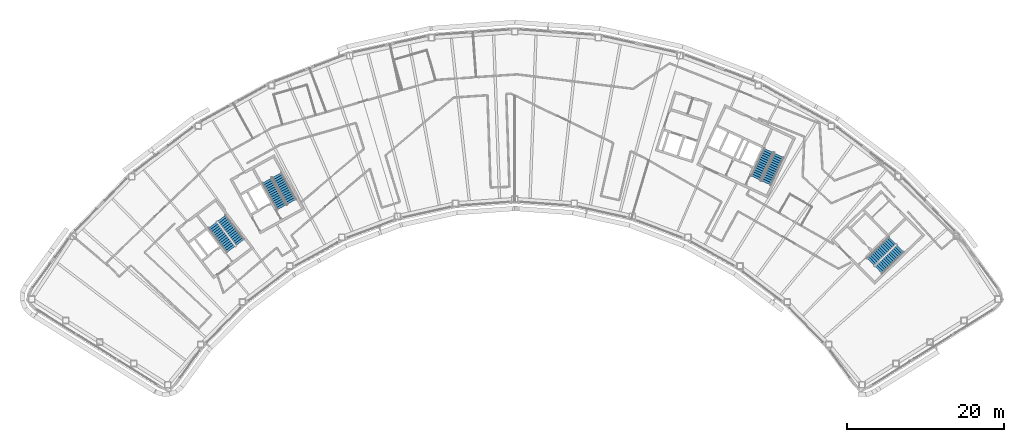
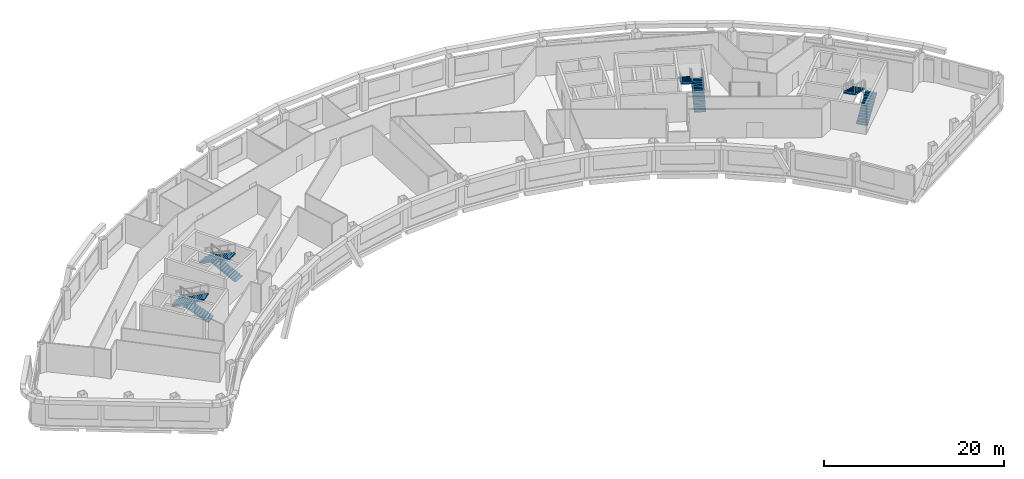
# One storey, part 10 of 15: 8 stair flights, 4 elements without a shape of their own.
"""IFC4 building model written with IfcOpenShell, lengths in metres."""

from ifc_helpers import new_model, si_unit, direction, frame, origin, place, context, subcontext, project, spatial, polyline, outline, extrude, material, type_object, element, aggregate, save


model = new_model("IFC4")

# Units and contexts
model_context = context("Model", 3, precision=1e-05, world=origin(), true_north=direction((0.0, 1.0)))
body_context = subcontext(model_context, "Body", "Model", "MODEL_VIEW")
ifc_project = project(units=[si_unit("LENGTHUNIT", "METRE"), si_unit("AREAUNIT", "SQUARE_METRE"), si_unit("VOLUMEUNIT", "CUBIC_METRE"), si_unit("PLANEANGLEUNIT", "RADIAN"), si_unit("MASSUNIT", "GRAM", prefix="KILO")], contexts=[model_context])

# Site, building, storey
site_placement = place(None, origin())
site = spatial("IfcSite", under=ifc_project, at=site_placement, CompositionType="ELEMENT")
building_placement = place(site_placement, origin())
building = spatial("IfcBuilding", under=site, at=building_placement, Name="Tuul Gate Civic Tower", CompositionType="ELEMENT")
storey_placement = place(building_placement, frame((0.0, 0.0, 332.300048828125)))
storey = spatial("IfcBuildingStorey", under=building, at=storey_placement, Name="Level 75", CompositionType="ELEMENT", Elevation=332.300048828125)

# Stair, stair flights
ifc_material_1 = material(Name="Concrete C40/50", Category="concrete")
stair_type = type_object("IfcStairType", Name="Exit stair", PredefinedType="HALF_TURN_STAIR", material=ifc_material_1)
stair_1_placement = place(storey_placement, origin())
stair_1 = element("IfcStair", 1, at=stair_1_placement, inside=storey, type_object=stair_type, Name="Level 75 ST-1", PredefinedType="HALF_TURN_STAIR")
ifc_material_2 = material(Name="Concrete C40/50", Category="concrete")
stair_flight_type = type_object("IfcStairFlightType", Name="Exit stair flight", PredefinedType="STRAIGHT", material=ifc_material_2)
stair_flight_1_placement = place(storey_placement, frame((-32.875244140625, -13.066650390625, 0.0), z_axis=(0.0, 0.0, 1.0), x_axis=(-0.605764474941, 0.795644016442, 0.0)))
stair_flight_1 = element("IfcStairFlight", 2, at=stair_flight_1_placement, type_object=stair_flight_type, Name="ST-1 flight 1", NumberOfRisers=14, NumberOfTreads=13, PredefinedType="STRAIGHT", RiserHeight=0.15, TreadLength=0.3, context=body_context, shape_type="SweptSolid", body=[
    extrude(outline(polyline([(0.0, 0.0), (0.0, 0.14990234375), (0.300048828125, 0.14990234375), (0.300048828125, 0.300048828125), (0.60009765625, 0.300048828125), (0.60009765625, 0.449951171875), (0.89990234375, 0.449951171875), (0.89990234375, 0.60009765625), (1.199951171875, 0.60009765625), (1.199951171875, 0.75), (1.5, 0.75), (1.5, 0.89990234375), (1.800048828125, 0.89990234375), (1.800048828125, 1.050048828125), (2.10009765625, 1.050048828125), (2.10009765625, 1.199951171875), (2.39990234375, 1.199951171875), (2.39990234375, 1.35009765625), (2.699951171875, 1.35009765625), (2.699951171875, 1.5), (3.0, 1.5), (3.0, 1.64990234375), (3.300048828125, 1.64990234375), (3.300048828125, 1.800048828125), (3.60009765625, 1.800048828125), (3.60009765625, 1.949951171875), (3.89990234375, 1.949951171875), (3.89990234375, 2.10009765625), (3.89990234375, 1.782470703125), (0.335205078125, 0.0), (0.0, 0.0)])), frame((0.0, 0.675048828125, 0.0), z_axis=(0.0, -1.0, 0.0), x_axis=(1.0, 0.0, 0.0)), (0.0, 0.0, 1.0), 1.35009765625),
])
stair_flight_2_placement = place(storey_placement, frame((-36.391357421875, -10.842041015625, 2.099853515625), z_axis=(0.0, 0.0, 1.0), x_axis=(0.605764474941, -0.795644016442, 0.0)))
stair_flight_2 = element("IfcStairFlight", 3, at=stair_flight_2_placement, type_object=stair_flight_type, Name="ST-1 flight 2", NumberOfRisers=14, NumberOfTreads=13, PredefinedType="STRAIGHT", RiserHeight=0.15, TreadLength=0.3, context=body_context, shape_type="SweptSolid", body=[
    extrude(outline(polyline([(0.0, 0.0), (0.0, 0.14990234375), (0.300048828125, 0.14990234375), (0.300048828125, 0.300048828125), (0.60009765625, 0.300048828125), (0.60009765625, 0.449951171875), (0.89990234375, 0.449951171875), (0.89990234375, 0.60009765625), (1.199951171875, 0.60009765625), (1.199951171875, 0.75), (1.5, 0.75), (1.5, 0.89990234375), (1.800048828125, 0.89990234375), (1.800048828125, 1.050048828125), (2.10009765625, 1.050048828125), (2.10009765625, 1.199951171875), (2.39990234375, 1.199951171875), (2.39990234375, 1.35009765625), (2.699951171875, 1.35009765625), (2.699951171875, 1.5), (3.0, 1.5), (3.0, 1.64990234375), (3.300048828125, 1.64990234375), (3.300048828125, 1.800048828125), (3.60009765625, 1.800048828125), (3.60009765625, 1.949951171875), (3.89990234375, 1.949951171875), (3.89990234375, 2.10009765625), (3.89990234375, 1.782470703125), (0.335205078125, 0.0), (0.0, 0.0)])), frame((0.0, 0.675048828125, 0.0), z_axis=(0.0, -1.0, 0.0), x_axis=(1.0, 0.0, 0.0)), (0.0, 0.0, 1.0), 1.35009765625),
])
aggregate(stair_1, [stair_flight_1, stair_flight_2])

stair_2_placement = place(storey_placement, origin())
stair_2 = element("IfcStair", 4, at=stair_2_placement, inside=storey, type_object=stair_type, Name="Level 75 ST-2", PredefinedType="HALF_TURN_STAIR")
stair_flight_3_placement = place(storey_placement, frame((-26.29150390625, -7.87646484375, 0.0), z_axis=(0.0, 0.0, 1.0), x_axis=(-0.484761763766, 0.874646232708, 0.0)))
stair_flight_3 = element("IfcStairFlight", 5, at=stair_flight_3_placement, type_object=stair_flight_type, Name="ST-2 flight 1", NumberOfRisers=14, NumberOfTreads=13, PredefinedType="STRAIGHT", RiserHeight=0.15, TreadLength=0.3, context=body_context, shape_type="SweptSolid", body=[
    extrude(outline(polyline([(0.0, 0.0), (0.0, 0.14990234375), (0.300048828125, 0.14990234375), (0.300048828125, 0.300048828125), (0.60009765625, 0.300048828125), (0.60009765625, 0.449951171875), (0.89990234375, 0.449951171875), (0.89990234375, 0.60009765625), (1.199951171875, 0.60009765625), (1.199951171875, 0.75), (1.5, 0.75), (1.5, 0.89990234375), (1.800048828125, 0.89990234375), (1.800048828125, 1.050048828125), (2.10009765625, 1.050048828125), (2.10009765625, 1.199951171875), (2.39990234375, 1.199951171875), (2.39990234375, 1.35009765625), (2.699951171875, 1.35009765625), (2.699951171875, 1.5), (3.0, 1.5), (3.0, 1.64990234375), (3.300048828125, 1.64990234375), (3.300048828125, 1.800048828125), (3.60009765625, 1.800048828125), (3.60009765625, 1.949951171875), (3.89990234375, 1.949951171875), (3.89990234375, 2.10009765625), (3.89990234375, 1.782470703125), (0.335205078125, 0.0), (0.0, 0.0)])), frame((0.0, 0.675048828125, 0.0), z_axis=(0.0, -1.0, 0.0), x_axis=(1.0, 0.0, 0.0)), (0.0, 0.0, 1.0), 1.35009765625),
])
stair_flight_4_placement = place(storey_placement, frame((-29.450439453125, -5.168212890625, 2.099853515625), z_axis=(0.0, 0.0, 1.0), x_axis=(0.484761763766, -0.874646232708, 0.0)))
stair_flight_4 = element("IfcStairFlight", 6, at=stair_flight_4_placement, type_object=stair_flight_type, Name="ST-2 flight 2", NumberOfRisers=14, NumberOfTreads=13, PredefinedType="STRAIGHT", RiserHeight=0.15, TreadLength=0.3, context=body_context, shape_type="SweptSolid", body=[
    extrude(outline(polyline([(0.0, 0.0), (0.0, 0.14990234375), (0.300048828125, 0.14990234375), (0.300048828125, 0.300048828125), (0.60009765625, 0.300048828125), (0.60009765625, 0.449951171875), (0.89990234375, 0.449951171875), (0.89990234375, 0.60009765625), (1.199951171875, 0.60009765625), (1.199951171875, 0.75), (1.5, 0.75), (1.5, 0.89990234375), (1.800048828125, 0.89990234375), (1.800048828125, 1.050048828125), (2.10009765625, 1.050048828125), (2.10009765625, 1.199951171875), (2.39990234375, 1.199951171875), (2.39990234375, 1.35009765625), (2.699951171875, 1.35009765625), (2.699951171875, 1.5), (3.0, 1.5), (3.0, 1.64990234375), (3.300048828125, 1.64990234375), (3.300048828125, 1.800048828125), (3.60009765625, 1.800048828125), (3.60009765625, 1.949951171875), (3.89990234375, 1.949951171875), (3.89990234375, 2.10009765625), (3.89990234375, 1.782470703125), (0.335205078125, 0.0), (0.0, 0.0)])), frame((0.0, 0.675048828125, 0.0), z_axis=(0.0, -1.0, 0.0), x_axis=(1.0, 0.0, 0.0)), (0.0, 0.0, 1.0), 1.35009765625),
])
aggregate(stair_2, [stair_flight_3, stair_flight_4])

stair_3_placement = place(storey_placement, origin())
stair_3 = element("IfcStair", 7, at=stair_3_placement, inside=storey, type_object=stair_type, Name="Level 75 ST-3", PredefinedType="HALF_TURN_STAIR")
stair_flight_5_placement = place(storey_placement, frame((48.61376953125, -16.581787109375, 0.0), z_axis=(0.0, 0.0, 1.0), x_axis=(0.714127290059, 0.700015866672, 0.0)))
stair_flight_5 = element("IfcStairFlight", 8, at=stair_flight_5_placement, type_object=stair_flight_type, Name="ST-3 flight 1", NumberOfRisers=14, NumberOfTreads=13, PredefinedType="STRAIGHT", RiserHeight=0.15, TreadLength=0.3, context=body_context, shape_type="SweptSolid", body=[
    extrude(outline(polyline([(0.0, 0.0), (0.0, 0.14990234375), (0.300048828125, 0.14990234375), (0.300048828125, 0.300048828125), (0.60009765625, 0.300048828125), (0.60009765625, 0.449951171875), (0.89990234375, 0.449951171875), (0.89990234375, 0.60009765625), (1.199951171875, 0.60009765625), (1.199951171875, 0.75), (1.5, 0.75), (1.5, 0.89990234375), (1.800048828125, 0.89990234375), (1.800048828125, 1.050048828125), (2.10009765625, 1.050048828125), (2.10009765625, 1.199951171875), (2.39990234375, 1.199951171875), (2.39990234375, 1.35009765625), (2.699951171875, 1.35009765625), (2.699951171875, 1.5), (3.0, 1.5), (3.0, 1.64990234375), (3.300048828125, 1.64990234375), (3.300048828125, 1.800048828125), (3.60009765625, 1.800048828125), (3.60009765625, 1.949951171875), (3.89990234375, 1.949951171875), (3.89990234375, 2.10009765625), (3.89990234375, 1.782470703125), (0.335205078125, 0.0), (0.0, 0.0)])), frame((0.0, 0.675048828125, 0.0), z_axis=(0.0, -1.0, 0.0), x_axis=(1.0, 0.0, 0.0)), (0.0, 0.0, 1.0), 1.35009765625),
])
stair_flight_6_placement = place(storey_placement, frame((50.3837890625, -12.816162109375, 2.099853515625), z_axis=(0.0, 0.0, 1.0), x_axis=(-0.714127290059, -0.700015866672, 0.0)))
stair_flight_6 = element("IfcStairFlight", 9, at=stair_flight_6_placement, type_object=stair_flight_type, Name="ST-3 flight 2", NumberOfRisers=14, NumberOfTreads=13, PredefinedType="STRAIGHT", RiserHeight=0.15, TreadLength=0.3, context=body_context, shape_type="SweptSolid", body=[
    extrude(outline(polyline([(0.0, 0.0), (0.0, 0.14990234375), (0.300048828125, 0.14990234375), (0.300048828125, 0.300048828125), (0.60009765625, 0.300048828125), (0.60009765625, 0.449951171875), (0.89990234375, 0.449951171875), (0.89990234375, 0.60009765625), (1.199951171875, 0.60009765625), (1.199951171875, 0.75), (1.5, 0.75), (1.5, 0.89990234375), (1.800048828125, 0.89990234375), (1.800048828125, 1.050048828125), (2.10009765625, 1.050048828125), (2.10009765625, 1.199951171875), (2.39990234375, 1.199951171875), (2.39990234375, 1.35009765625), (2.699951171875, 1.35009765625), (2.699951171875, 1.5), (3.0, 1.5), (3.0, 1.64990234375), (3.300048828125, 1.64990234375), (3.300048828125, 1.800048828125), (3.60009765625, 1.800048828125), (3.60009765625, 1.949951171875), (3.89990234375, 1.949951171875), (3.89990234375, 2.10009765625), (3.89990234375, 1.782470703125), (0.335205078125, 0.0), (0.0, 0.0)])), frame((0.0, 0.675048828125, 0.0), z_axis=(0.0, -1.0, 0.0), x_axis=(1.0, 0.0, 0.0)), (0.0, 0.0, 1.0), 1.35009765625),
])
aggregate(stair_3, [stair_flight_5, stair_flight_6])

stair_4_placement = place(storey_placement, origin())
stair_4 = element("IfcStair", 10, at=stair_4_placement, inside=storey, type_object=stair_type, Name="Level 75 ST-4", PredefinedType="HALF_TURN_STAIR")
stair_flight_7_placement = place(storey_placement, frame((34.278564453125, -5.478515625, 0.0), z_axis=(0.0, 0.0, 1.0), x_axis=(0.422576295988, 0.906327354806, 0.0)))
stair_flight_7 = element("IfcStairFlight", 11, at=stair_flight_7_placement, type_object=stair_flight_type, Name="ST-4 flight 1", NumberOfRisers=14, NumberOfTreads=13, PredefinedType="STRAIGHT", RiserHeight=0.15, TreadLength=0.3, context=body_context, shape_type="SweptSolid", body=[
    extrude(outline(polyline([(0.0, 0.0), (0.0, 0.14990234375), (0.300048828125, 0.14990234375), (0.300048828125, 0.300048828125), (0.60009765625, 0.300048828125), (0.60009765625, 0.449951171875), (0.89990234375, 0.449951171875), (0.89990234375, 0.60009765625), (1.199951171875, 0.60009765625), (1.199951171875, 0.75), (1.5, 0.75), (1.5, 0.89990234375), (1.800048828125, 0.89990234375), (1.800048828125, 1.050048828125), (2.10009765625, 1.050048828125), (2.10009765625, 1.199951171875), (2.39990234375, 1.199951171875), (2.39990234375, 1.35009765625), (2.699951171875, 1.35009765625), (2.699951171875, 1.5), (3.0, 1.5), (3.0, 1.64990234375), (3.300048828125, 1.64990234375), (3.300048828125, 1.800048828125), (3.60009765625, 1.800048828125), (3.60009765625, 1.949951171875), (3.89990234375, 1.949951171875), (3.89990234375, 2.10009765625), (3.89990234375, 1.782470703125), (0.335205078125, 0.0), (0.0, 0.0)])), frame((0.0, 0.675048828125, 0.0), z_axis=(0.0, -1.0, 0.0), x_axis=(1.0, 0.0, 0.0)), (0.0, 0.0, 1.0), 1.35009765625),
])
stair_flight_8_placement = place(storey_placement, frame((34.612548828125, -1.3310546875, 2.099853515625), z_axis=(0.0, 0.0, 1.0), x_axis=(-0.422576295988, -0.906327354806, 0.0)))
stair_flight_8 = element("IfcStairFlight", 12, at=stair_flight_8_placement, type_object=stair_flight_type, Name="ST-4 flight 2", NumberOfRisers=14, NumberOfTreads=13, PredefinedType="STRAIGHT", RiserHeight=0.15, TreadLength=0.3, context=body_context, shape_type="SweptSolid", body=[
    extrude(outline(polyline([(0.0, 0.0), (0.0, 0.14990234375), (0.300048828125, 0.14990234375), (0.300048828125, 0.300048828125), (0.60009765625, 0.300048828125), (0.60009765625, 0.449951171875), (0.89990234375, 0.449951171875), (0.89990234375, 0.60009765625), (1.199951171875, 0.60009765625), (1.199951171875, 0.75), (1.5, 0.75), (1.5, 0.89990234375), (1.800048828125, 0.89990234375), (1.800048828125, 1.050048828125), (2.10009765625, 1.050048828125), (2.10009765625, 1.199951171875), (2.39990234375, 1.199951171875), (2.39990234375, 1.35009765625), (2.699951171875, 1.35009765625), (2.699951171875, 1.5), (3.0, 1.5), (3.0, 1.64990234375), (3.300048828125, 1.64990234375), (3.300048828125, 1.800048828125), (3.60009765625, 1.800048828125), (3.60009765625, 1.949951171875), (3.89990234375, 1.949951171875), (3.89990234375, 2.10009765625), (3.89990234375, 1.782470703125), (0.335205078125, 0.0), (0.0, 0.0)])), frame((0.0, 0.675048828125, 0.0), z_axis=(0.0, -1.0, 0.0), x_axis=(1.0, 0.0, 0.0)), (0.0, 0.0, 1.0), 1.35009765625),
])
aggregate(stair_4, [stair_flight_7, stair_flight_8])

save(model, "model.ifc")
